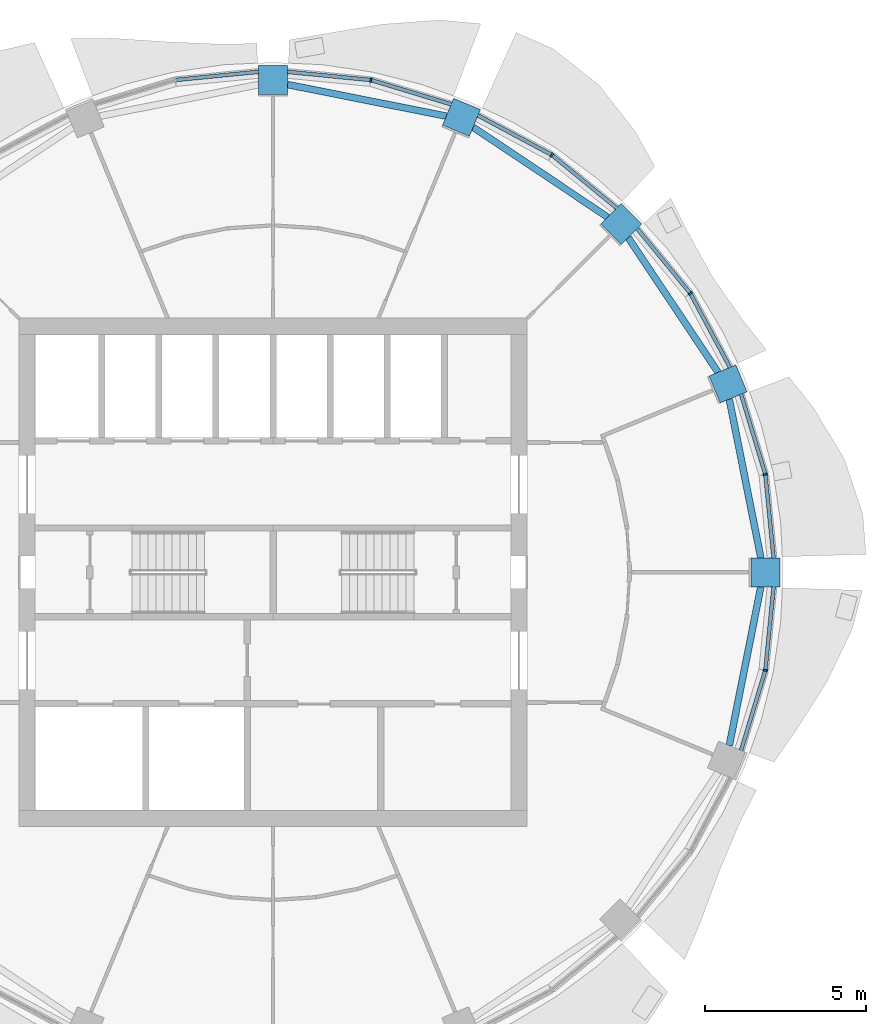
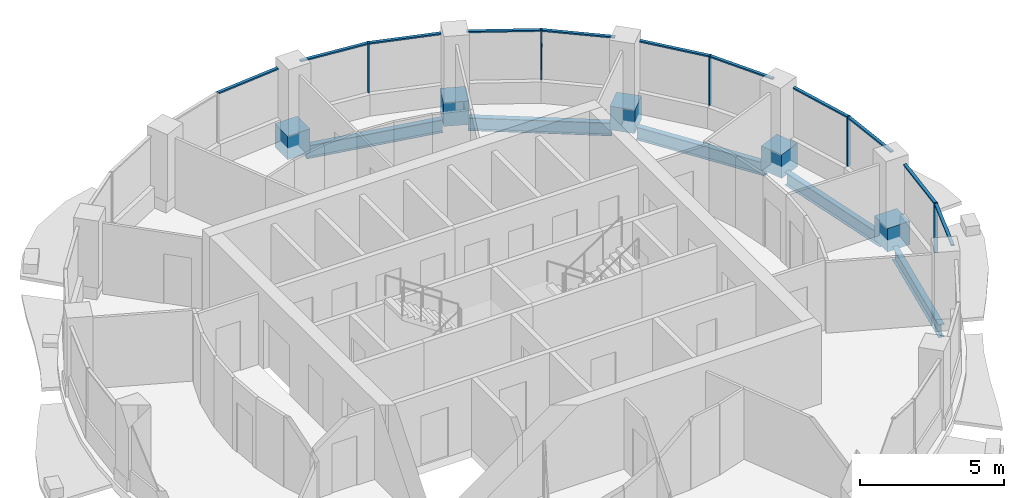
# One storey, part 5 of 14: 21 members, 5 beams, 6 elements without a shape of their own.
"""IFC4 building model written with IfcOpenShell, lengths in metres."""

from ifc_helpers import new_model, si_unit, direction, frame, origin, origin_2d, place, context, subcontext, project, spatial, rectangle, i_section, extrude, material, material_profile, profile_set, type_object, element, aggregate, save


model = new_model("IFC4")

# Units and contexts
model_context = context("Model", 3, precision=1e-05, world=origin(), true_north=direction((0.0, 1.0)))
body_context = subcontext(model_context, "Body", "Model", "MODEL_VIEW")
ifc_project = project(units=[si_unit("LENGTHUNIT", "METRE"), si_unit("AREAUNIT", "SQUARE_METRE"), si_unit("VOLUMEUNIT", "CUBIC_METRE"), si_unit("PLANEANGLEUNIT", "RADIAN"), si_unit("MASSUNIT", "GRAM", prefix="KILO")], contexts=[model_context])

# Site, building, storey
site_placement = place(None, origin())
site = spatial("IfcSite", under=ifc_project, at=site_placement, CompositionType="ELEMENT")
building_placement = place(site_placement, origin())
building = spatial("IfcBuilding", under=site, at=building_placement, Name="Polderwave Tower", CompositionType="ELEMENT")
storey_placement = place(building_placement, frame((0.0, 0.0, 217.800048828125)))
storey = spatial("IfcBuildingStorey", under=building, at=storey_placement, Name="L59", CompositionType="ELEMENT", Elevation=217.800048828125)

# Curtain wall, member
ifc_material_1 = material(Name="Aluminium 6063-T6 and glass", Category="aluminium")
curtain_wall_type = type_object("IfcCurtainWallType", Name="Office ribbon glazing wall", PredefinedType="NOTDEFINED", material=ifc_material_1)
curtain_wall_1_placement = place(storey_placement, origin())
curtain_wall_1 = element("IfcCurtainWall", 1, at=curtain_wall_1_placement, inside=storey, type_object=curtain_wall_type, Name="CW3 L59 00", PredefinedType="NOTDEFINED")
ifc_material_2 = material(Name="Aluminium 6063-T6", Category="aluminium")
ifc_material_profile_1 = material_profile(ifc_material_2, rectangle(XDim=0.139892578125, YDim=0.054931640625, at=origin_2d()), Name="AL 55x140")
ifc_profile_set_1 = profile_set([ifc_material_profile_1], Name="Aluminium 6063-T6")
member_type_1 = type_object("IfcMemberType", Name="Office ribbon glazing mullion 55x140", PredefinedType="MULLION", material=ifc_profile_set_1)
member_1_placement = place(storey_placement, frame((15.2509765625, 3.033935546875, 0.89990234375), z_axis=(0.0, 0.0, 1.0), x_axis=(-0.980784939905, -0.195092033809, 0.0)))
member_1 = element("IfcMember", 2, at=member_1_placement, type_object=member_type_1, Name="CW3 mullion 1", PredefinedType="MULLION", context=body_context, shape_type="SweptSolid", body=[
    extrude(rectangle(XDim=0.139892578125, YDim=0.054931640625, at=origin_2d()), origin(), (0.0, 0.0, 1.0), 2.10009765625),
])

curtain_wall_2_placement = place(storey_placement, origin())
curtain_wall_2 = element("IfcCurtainWall", 3, at=curtain_wall_2_placement, inside=storey, type_object=curtain_wall_type, Name="CW3 L59 01", PredefinedType="NOTDEFINED")
member_2_placement = place(storey_placement, frame((12.928955078125, 8.638916015625, 0.89990234375), z_axis=(0.0, 0.0, 1.0), x_axis=(-0.831430824157, -0.555628279195, 0.0)))
member_2 = element("IfcMember", 4, at=member_2_placement, type_object=member_type_1, Name="CW3 mullion 1", PredefinedType="MULLION", context=body_context, shape_type="SweptSolid", body=[
    extrude(rectangle(XDim=0.139892578125, YDim=0.054931640625, at=origin_2d()), origin(), (0.0, 0.0, 1.0), 2.10009765625),
])

curtain_wall_3_placement = place(storey_placement, origin())
curtain_wall_3 = element("IfcCurtainWall", 5, at=curtain_wall_3_placement, inside=storey, type_object=curtain_wall_type, Name="CW3 L59 02", PredefinedType="NOTDEFINED")
member_3_placement = place(storey_placement, frame((8.638916015625, 12.928955078125, 0.89990234375), z_axis=(0.0, 0.0, 1.0), x_axis=(-0.555628279195, -0.831430824157, 0.0)))
member_3 = element("IfcMember", 6, at=member_3_placement, type_object=member_type_1, Name="CW3 mullion 1", PredefinedType="MULLION", context=body_context, shape_type="SweptSolid", body=[
    extrude(rectangle(XDim=0.139892578125, YDim=0.054931640625, at=origin_2d()), origin(), (0.0, 0.0, 1.0), 2.10009765625),
])

curtain_wall_4_placement = place(storey_placement, origin())
curtain_wall_4 = element("IfcCurtainWall", 7, at=curtain_wall_4_placement, inside=storey, type_object=curtain_wall_type, Name="CW3 L59 03", PredefinedType="NOTDEFINED")
member_4_placement = place(storey_placement, frame((3.033935546875, 15.2509765625, 0.89990234375), z_axis=(0.0, 0.0, 1.0), x_axis=(-0.195092033809, -0.980784939905, 0.0)))
member_4 = element("IfcMember", 8, at=member_4_placement, type_object=member_type_1, Name="CW3 mullion 1", PredefinedType="MULLION", context=body_context, shape_type="SweptSolid", body=[
    extrude(rectangle(XDim=0.139892578125, YDim=0.054931640625, at=origin_2d()), origin(), (0.0, 0.0, 1.0), 2.10009765625),
])

curtain_wall_5_placement = place(storey_placement, origin())
curtain_wall_5 = element("IfcCurtainWall", 9, at=curtain_wall_5_placement, inside=storey, type_object=curtain_wall_type, Name="CW3 L59 15", PredefinedType="NOTDEFINED")
member_5_placement = place(storey_placement, frame((15.2509765625, -3.033935546875, 0.89990234375), z_axis=(0.0, 0.0, 1.0), x_axis=(-0.980784939905, 0.195092033809, 0.0)))
member_5 = element("IfcMember", 10, at=member_5_placement, type_object=member_type_1, Name="CW3 mullion 1", PredefinedType="MULLION", context=body_context, shape_type="SweptSolid", body=[
    extrude(rectangle(XDim=0.139892578125, YDim=0.054931640625, at=origin_2d()), origin(), (0.0, 0.0, 1.0), 2.10009765625),
])

# Member
ifc_material_profile_2 = material_profile(ifc_material_2, rectangle(XDim=0.1201171875, YDim=0.06005859375, at=origin_2d()), Name="AL 60x120")
ifc_profile_set_2 = profile_set([ifc_material_profile_2], Name="Aluminium 6063-T6")
member_type_2 = type_object("IfcMemberType", Name="Office ribbon glazing transom 60x120", PredefinedType="USERDEFINED", material=ifc_profile_set_2)
member_6_placement = place(storey_placement, frame((15.506103515625, 0.449951171875, 2.969970703125), z_axis=(-0.098261657218, 0.99516061353, 0.0), x_axis=(-0.99516061353, -0.098261657218, 0.0)))
member_6 = element("IfcMember", 11, at=member_6_placement, type_object=member_type_2, Name="CW3 transom 1", ObjectType="TRANSOM", PredefinedType="USERDEFINED", context=body_context, shape_type="SweptSolid", body=[
    extrude(rectangle(XDim=0.1201171875, YDim=0.06005859375, at=origin_2d()), origin(), (0.0, 0.0, 1.0), 2.569091796875),
])

member_7_placement = place(storey_placement, frame((15.242919921875, 3.060302734375, 2.969970703125), z_axis=(-0.290041695061, 0.95701400989, 0.0), x_axis=(-0.95701400989, -0.290041695061, 0.0)))
member_7 = element("IfcMember", 12, at=member_7_placement, type_object=member_type_2, Name="CW3 transom 2", ObjectType="TRANSOM", PredefinedType="USERDEFINED", context=body_context, shape_type="SweptSolid", body=[
    extrude(rectangle(XDim=0.1201171875, YDim=0.06005859375, at=origin_2d()), origin(), (0.0, 0.0, 1.0), 2.568115234375),
])

aggregate(curtain_wall_1, [member_1, member_6, member_7])

member_8_placement = place(storey_placement, frame((14.153076171875, 6.35009765625, 2.969970703125), z_axis=(-0.471609275387, 0.881807627189, 0.0), x_axis=(-0.881807627189, -0.471609275387, 0.0)))
member_8 = element("IfcMember", 13, at=member_8_placement, type_object=member_type_2, Name="CW3 transom 1", ObjectType="TRANSOM", PredefinedType="USERDEFINED", context=body_context, shape_type="SweptSolid", body=[
    extrude(rectangle(XDim=0.1201171875, YDim=0.06005859375, at=origin_2d()), origin(), (0.0, 0.0, 1.0), 2.568115234375),
])

member_9_placement = place(storey_placement, frame((12.91162109375, 8.660400390625, 2.969970703125), z_axis=(-0.634417102491, 0.772990905552, 0.0), x_axis=(-0.772990905552, -0.634417102491, 0.0)))
member_9 = element("IfcMember", 14, at=member_9_placement, type_object=member_type_2, Name="CW3 transom 2", ObjectType="TRANSOM", PredefinedType="USERDEFINED", context=body_context, shape_type="SweptSolid", body=[
    extrude(rectangle(XDim=0.1201171875, YDim=0.06005859375, at=origin_2d()), origin(), (0.0, 0.0, 1.0), 2.568603515625),
])

aggregate(curtain_wall_2, [member_2, member_8, member_9])

member_10_placement = place(storey_placement, frame((10.64599609375, 11.281982421875, 2.969970703125), z_axis=(-0.772990905552, 0.634417102491, 0.0), x_axis=(-0.634417102491, -0.772990905552, 0.0)))
member_10 = element("IfcMember", 15, at=member_10_placement, type_object=member_type_2, Name="CW3 transom 1", ObjectType="TRANSOM", PredefinedType="USERDEFINED", context=body_context, shape_type="SweptSolid", body=[
    extrude(rectangle(XDim=0.1201171875, YDim=0.06005859375, at=origin_2d()), origin(), (0.0, 0.0, 1.0), 2.568603515625),
])

member_11_placement = place(storey_placement, frame((8.61474609375, 12.94189453125, 2.969970703125), z_axis=(-0.881807627189, 0.471609275387, 0.0), x_axis=(-0.471609275387, -0.881807627189, 0.0)))
member_11 = element("IfcMember", 16, at=member_11_placement, type_object=member_type_2, Name="CW3 transom 2", ObjectType="TRANSOM", PredefinedType="USERDEFINED", context=body_context, shape_type="SweptSolid", body=[
    extrude(rectangle(XDim=0.1201171875, YDim=0.06005859375, at=origin_2d()), origin(), (0.0, 0.0, 1.0), 2.568115234375),
])

aggregate(curtain_wall_3, [member_3, member_10, member_11])

member_12_placement = place(storey_placement, frame((5.51806640625, 14.498046875, 2.969970703125), z_axis=(-0.95701400989, 0.290041695061, 0.0), x_axis=(-0.290041695061, -0.95701400989, 0.0)))
member_12 = element("IfcMember", 17, at=member_12_placement, type_object=member_type_2, Name="CW3 transom 1", ObjectType="TRANSOM", PredefinedType="USERDEFINED", context=body_context, shape_type="SweptSolid", body=[
    extrude(rectangle(XDim=0.1201171875, YDim=0.06005859375, at=origin_2d()), origin(), (0.0, 0.0, 1.0), 2.568115234375),
])

member_13_placement = place(storey_placement, frame((3.006591796875, 15.253662109375, 2.969970703125), z_axis=(-0.99516061353, 0.098261657218, 0.0), x_axis=(-0.098261657218, -0.99516061353, 0.0)))
member_13 = element("IfcMember", 18, at=member_13_placement, type_object=member_type_2, Name="CW3 transom 2", ObjectType="TRANSOM", PredefinedType="USERDEFINED", context=body_context, shape_type="SweptSolid", body=[
    extrude(rectangle(XDim=0.1201171875, YDim=0.06005859375, at=origin_2d()), origin(), (0.0, 0.0, 1.0), 2.569091796875),
])

aggregate(curtain_wall_4, [member_4, member_12, member_13])

# Curtain wall, member
curtain_wall_6_placement = place(storey_placement, origin())
curtain_wall_6 = element("IfcCurtainWall", 19, at=curtain_wall_6_placement, inside=storey, type_object=curtain_wall_type, Name="CW3 L59 04", PredefinedType="NOTDEFINED")
member_14_placement = place(storey_placement, frame((-0.449951171875, 15.506103515625, 2.969970703125), z_axis=(-0.99516061353, -0.098261657218, 0.0), x_axis=(0.098261657218, -0.99516061353, 0.0)))
member_14 = element("IfcMember", 20, at=member_14_placement, type_object=member_type_2, Name="CW3 transom 1", ObjectType="TRANSOM", PredefinedType="USERDEFINED", context=body_context, shape_type="SweptSolid", body=[
    extrude(rectangle(XDim=0.1201171875, YDim=0.06005859375, at=origin_2d()), origin(), (0.0, 0.0, 1.0), 2.569091796875),
])
aggregate(curtain_wall_6, [member_14])

# Member
member_15_placement = place(storey_placement, frame((14.498046875, -5.51806640625, 2.969970703125), z_axis=(0.290041695061, 0.95701400989, 0.0), x_axis=(-0.95701400989, 0.290041695061, 0.0)))
member_15 = element("IfcMember", 21, at=member_15_placement, type_object=member_type_2, Name="CW3 transom 1", ObjectType="TRANSOM", PredefinedType="USERDEFINED", context=body_context, shape_type="SweptSolid", body=[
    extrude(rectangle(XDim=0.1201171875, YDim=0.06005859375, at=origin_2d()), origin(), (0.0, 0.0, 1.0), 2.568115234375),
])

member_16_placement = place(storey_placement, frame((15.253662109375, -3.006591796875, 2.969970703125), z_axis=(0.098261657218, 0.99516061353, 0.0), x_axis=(-0.99516061353, 0.098261657218, 0.0)))
member_16 = element("IfcMember", 22, at=member_16_placement, type_object=member_type_2, Name="CW3 transom 2", ObjectType="TRANSOM", PredefinedType="USERDEFINED", context=body_context, shape_type="SweptSolid", body=[
    extrude(rectangle(XDim=0.1201171875, YDim=0.06005859375, at=origin_2d()), origin(), (0.0, 0.0, 1.0), 2.569091796875),
])

aggregate(curtain_wall_5, [member_5, member_15, member_16])

# Members
ifc_material_3 = material(Name="Concrete C60/75", Category="concrete")
ifc_material_profile_3 = material_profile(ifc_material_3, rectangle(XDim=0.89990234375, YDim=0.89990234375, at=origin_2d()), Name="RC 900x900")
ifc_profile_set_3 = profile_set([ifc_material_profile_3], Name="Concrete C60/75")
member_type_3 = type_object("IfcMemberType", Name="RC NODE 900x900 C60/75", PredefinedType="POST", material=ifc_profile_set_3)
for number, where, z_axis, x_axis, name in (
    (23, (15.255859375, 0.0, -0.5), (0.0, 0.0, 1.0), (1.0, 0.0, 0.0), "Ring column node 01"),
    (24, (14.0947265625, 5.838134765625, -0.5), (0.0, 0.0, 1.0), (0.923879532511, 0.382683432365, 0.0), "Ring column node 02"),
    (25, (10.78759765625, 10.78759765625, -0.5), (0.0, 0.0, 1.0), (0.707106781187, 0.707106781187, 0.0), "Ring column node 03"),
    (26, (5.838134765625, 14.0947265625, -0.5), (0.0, 0.0, 1.0), (0.382683432365, 0.923879532511, 0.0), "Ring column node 04"),
    (27, (0.0, 15.255859375, -0.5), (0.0, 0.0, 1.0), (0.0, 1.0, 0.0), "Ring column node 05"),
):
    element("IfcMember", number, at=place(storey_placement, frame(where, z_axis=z_axis, x_axis=x_axis)), inside=storey, type_object=member_type_3, Name=name, PredefinedType="POST", context=body_context, shape_type="SweptSolid", body=[
        extrude(rectangle(XDim=0.89990234375, YDim=0.89990234375, at=origin_2d()), origin(), (0.0, 0.0, 1.0), 1.0),
    ])

# Beams
ifc_material_4 = material(Name="Steel S355", Category="steel")
ifc_material_profile_4 = material_profile(ifc_material_4, i_section(OverallWidth=0.2099609375, OverallDepth=0.550048828125, WebThickness=0.010986328125, FlangeThickness=0.01708984375, at=origin_2d()), Name="IPE 550")
ifc_profile_set_4 = profile_set([ifc_material_profile_4], Name="Steel S355")
beam_type = type_object("IfcBeamType", Name="RING BEAM IPE 550", PredefinedType="BEAM", material=ifc_profile_set_4)
for number, where, z_axis, x_axis, name in (
    (28, (15.110595703125, 0.449951171875, -0.625), (-0.195095186313, 0.980784312822, 0.0), (-0.980784312822, -0.195095186313, 0.0), "ST-RB-L59-00"),
    (29, (13.7880859375, 6.1982421875, -0.625), (-0.555576499258, 0.831465425301, 0.0), (-0.831465425301, -0.555576499258, 0.0), "ST-RB-L59-01"),
    (30, (10.366455078125, 11.0029296875, -0.625), (-0.831465425301, 0.555576499258, 0.0), (-0.555576499258, -0.831465425301, 0.0), "ST-RB-L59-02"),
    (31, (5.36669921875, 14.132568359375, -0.625), (-0.980784312822, 0.195095186313, 0.0), (-0.195095186313, -0.980784312822, 0.0), "ST-RB-L59-03"),
    (32, (14.132568359375, -5.36669921875, -0.625), (0.195095186313, 0.980784312822, 0.0), (-0.980784312822, 0.195095186313, 0.0), "ST-RB-L59-15"),
):
    element("IfcBeam", number, at=place(storey_placement, frame(where, z_axis=z_axis, x_axis=x_axis)), inside=storey, type_object=beam_type, Name=name, PredefinedType="BEAM", context=body_context, shape_type="SweptSolid", body=[
        extrude(i_section(OverallWidth=0.2099609375, OverallDepth=0.550048828125, WebThickness=0.010986328125, FlangeThickness=0.01708984375, at=origin_2d()), origin(), (0.0, 0.0, 1.0), 5.01318359375),
    ])

save(model, "model.ifc")
